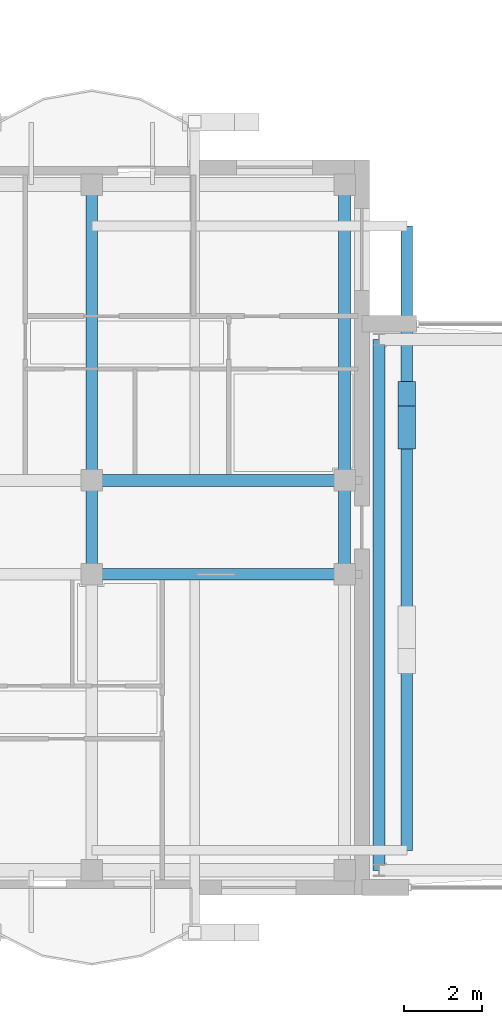
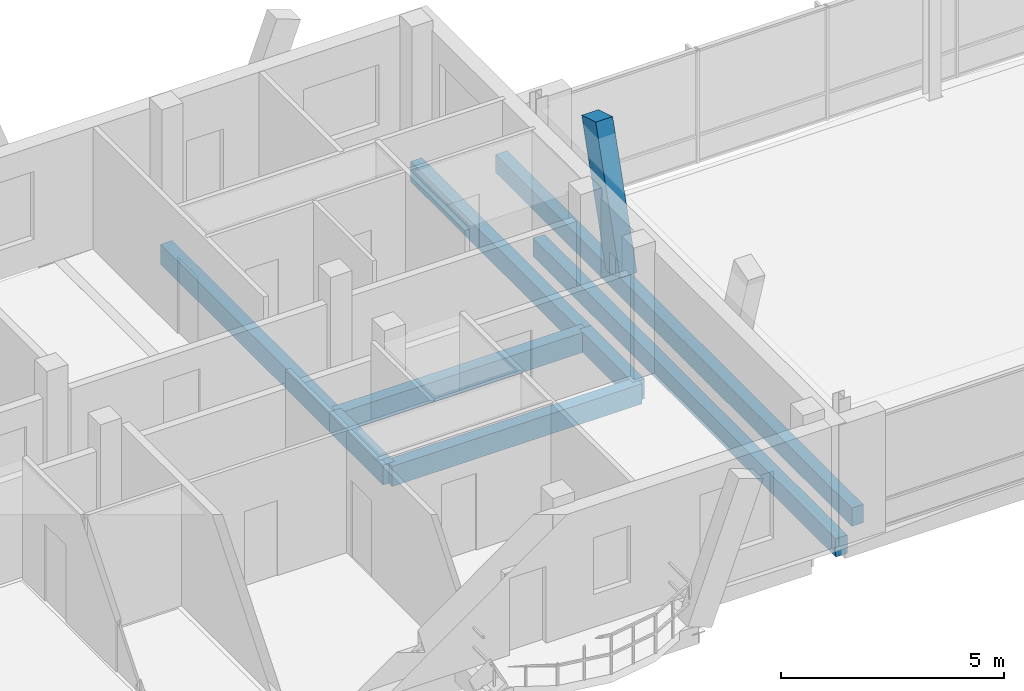
# One storey, part 18 of 189: 8 beams, 1 member.
"""IFC4 building model written with IfcOpenShell, lengths in metres."""

import ifcopenshell
import ifcopenshell.guid

model = None  # the IFC model being written
_history = None  # IfcOwnerHistory: only IFC2X3 demands one
_inside = {}  # id of a spatial element -> (the spatial element, [elements in it])
_under = {}  # id of a project, library or spatial element -> (it, [spatial elements below it])
_declared = {}  # id of a project -> (the project, [libraries it declares])
_typed = {}  # id of a type object -> (the type object, [elements of that type])
_made_of = {}  # id of a material, layer set ... -> (it, [elements and type objects made of it])


def new_model(schema):
    """Start an empty IFC model of exactly this schema.

    Asked for "IFC4X3", IfcOpenShell would pick the latest addendum, in which some entities
    have other attributes; the version numbers below select the first issue.
    IFC2X3 requires an IfcOwnerHistory on every rooted entity: one is made here for all.
    """
    global model, _history
    if schema == "IFC4X3":
        model = ifcopenshell.file(schema_version=(4, 3, 0, 0))
    else:
        model = ifcopenshell.file(schema=schema)
    _inside.clear()
    _under.clear()
    _declared.clear()
    _typed.clear()
    _made_of.clear()
    _history = None
    if model.schema == "IFC2X3":
        org = make("IfcOrganization", Name="unknown")
        user = make(
            "IfcPersonAndOrganization",
            ThePerson=make("IfcPerson", FamilyName="unknown"),
            TheOrganization=org,
        )
        app = make(
            "IfcApplication",
            ApplicationDeveloper=org,
            Version="unknown",
            ApplicationFullName="unknown",
            ApplicationIdentifier="unknown",
        )
        _history = make(
            "IfcOwnerHistory",
            OwningUser=user,
            OwningApplication=app,
            ChangeAction="ADDED",
            CreationDate=0,
        )
    return model


def make(cls, **values):
    """One entity of the class cls with the attributes given. An attribute that is None is left unset."""
    return model.create_entity(
        cls, **{name: value for name, value in values.items() if value is not None}
    )


def rooted(cls, **values):
    """An entity with a GlobalId (a new one), such as an element, a storey or a relation."""
    return make(cls, GlobalId=ifcopenshell.guid.new(), OwnerHistory=_history, **values)


def si_unit(unit_type, name, prefix=None):
    """IfcSIUnit, for example si_unit("LENGTHUNIT", "METRE", prefix="MILLI")."""
    return make("IfcSIUnit", UnitType=unit_type, Prefix=prefix, Name=name)


def assignment(units):
    """IfcUnitAssignment: the units of a project."""
    return None if units is None else make("IfcUnitAssignment", Units=units)


def point(xyz):
    """IfcCartesianPoint."""
    return None if xyz is None else make("IfcCartesianPoint", Coordinates=xyz)


def direction(xyz):
    """IfcDirection."""
    return None if xyz is None else make("IfcDirection", DirectionRatios=xyz)


def frame(location, z_axis=None, x_axis=None):
    """IfcAxis2Placement3D, a coordinate frame: its origin and axes. An axis left out is left unset."""
    return make(
        "IfcAxis2Placement3D",
        Location=point(location),
        Axis=direction(z_axis),
        RefDirection=direction(x_axis),
    )


def frame_2d(location, x_axis=None):
    """IfcAxis2Placement2D, a coordinate frame in the plane: its origin and x axis."""
    return make(
        "IfcAxis2Placement2D", Location=point(location), RefDirection=direction(x_axis)
    )


def origin():
    """The frame at (0, 0, 0) with its axes left unset."""
    return frame((0.0, 0.0, 0.0))


def origin_2d():
    """The frame at (0, 0) in the plane with its x axis left unset."""
    return frame_2d((0.0, 0.0))


def place(relative_to, where):
    """IfcLocalPlacement: puts the frame where relative to a parent placement (None: the world)."""
    return make(
        "IfcLocalPlacement", PlacementRelTo=relative_to, RelativePlacement=where
    )


def context(
    kind, dimensions, precision=None, world=None, true_north=None, identifier=None
):
    """IfcGeometricRepresentationContext, for example the 3D "Model" context."""
    return make(
        "IfcGeometricRepresentationContext",
        ContextIdentifier=identifier,
        ContextType=kind,
        CoordinateSpaceDimension=dimensions,
        Precision=precision,
        WorldCoordinateSystem=world,
        TrueNorth=true_north,
    )


def subcontext(parent, identifier, kind, view, scale=None):
    """IfcGeometricRepresentationSubContext, for example "Body" below "Model"."""
    return make(
        "IfcGeometricRepresentationSubContext",
        ContextIdentifier=identifier,
        ContextType=kind,
        ParentContext=parent,
        TargetScale=scale,
        TargetView=view,
    )


def project(units=None, contexts=None):
    """IfcProject with its units and contexts."""
    return rooted(
        "IfcProject",
        Name="project",
        RepresentationContexts=contexts,
        UnitsInContext=assignment(units),
    )


def spatial(cls, under=None, at=None, **own):
    """A site, building, storey or space (cls), placed at a placement, below another one or the project."""
    s = rooted(cls, ObjectPlacement=at, **own)
    if under is not None:
        _under.setdefault(under.id(), (under, []))[1].append(s)
    return s


def profile(cls, at=None, kind="AREA", **sizes):
    """A parametric profile (cls). Its sizes go by their IFC names, for example OverallWidth=200.0."""
    return make(cls, ProfileType=kind, Position=at, **sizes)


def rectangle(**sizes):
    """IfcRectangleProfileDef."""
    return profile("IfcRectangleProfileDef", **sizes)


def extrude(swept, where, along, depth):
    """IfcExtrudedAreaSolid: the profile swept, set in the frame where, extruded along a direction by depth."""
    return make(
        "IfcExtrudedAreaSolid",
        SweptArea=swept,
        Position=where,
        ExtrudedDirection=direction(along),
        Depth=depth,
    )


def shape(context_of_items, identifier, shape_type, items):
    """IfcShapeRepresentation: the items that make up one representation, for example the "Body"."""
    return make(
        "IfcShapeRepresentation",
        ContextOfItems=context_of_items,
        RepresentationIdentifier=identifier,
        RepresentationType=shape_type,
        Items=items,
    )


def material(Name=None, Category=None):
    """IfcMaterial."""
    return make("IfcMaterial", Name=Name, Category=Category)


def material_profile(
    of_material, cross_section, Name=None, Category=None, Priority=None
):
    """IfcMaterialProfile: a cross section and its material."""
    return make(
        "IfcMaterialProfile",
        Name=Name,
        Material=of_material,
        Profile=cross_section,
        Priority=Priority,
        Category=Category,
    )


def profile_set(profiles, Name=None, composite=None):
    """IfcMaterialProfileSet."""
    return make(
        "IfcMaterialProfileSet",
        Name=Name,
        MaterialProfiles=profiles,
        CompositeProfile=composite,
    )


def made_of(thing, what):
    """Note that an element or type object is made of a material, layer set ...; save() writes the relation."""
    if what is not None:
        _made_of.setdefault(what.id(), (what, []))[1].append(thing)
    return thing


def type_object(cls, material=None, **own):
    """A type object (cls), such as IfcWallType, which elements share."""
    return made_of(rooted(cls, **own), material)


def element(
    cls,
    number,
    at=None,
    inside=None,
    cuts=None,
    type_object=None,
    material=None,
    context=None,
    identifier="Body",
    shape_type=None,
    held_by="IfcProductDefinitionShape",
    body=None,
    shapes=None,
    **own,
):
    """One element of the class cls, such as IfcWall. Its Tag is "e" and its number.

    at: its placement. inside: the storey or other place that contains it. cuts: it is an
    opening in that element (IfcRelVoidsElement). A single representation is given by context,
    identifier, shape_type and body (its items); several are given by shapes. held_by: the class
    of the entity that holds the representations. save() writes the other relations.
    """
    e = rooted(cls, Tag="e%d" % number, ObjectPlacement=at, **own)
    if body is not None:
        shapes = [shape(context, identifier, shape_type, body)]
    if shapes is not None:
        e.Representation = make(held_by, Representations=shapes)
    if inside is not None:
        _inside.setdefault(inside.id(), (inside, []))[1].append(e)
    if cuts is not None:
        rooted(
            "IfcRelVoidsElement", RelatingBuildingElement=cuts, RelatedOpeningElement=e
        )
    if type_object is not None:
        _typed.setdefault(type_object.id(), (type_object, []))[1].append(e)
    return made_of(e, material)


def aggregate(whole, parts):
    """IfcRelAggregates: a whole, such as a stair, and the parts it consists of."""
    return rooted("IfcRelAggregates", RelatingObject=whole, RelatedObjects=parts)


def save(model, path):
    """Write the relations noted so far, then the file.

    IfcRelAggregates (storeys below a building ...), IfcRelContainedInSpatialStructure (elements
    in a storey), IfcRelDefinesByType, IfcRelAssociatesMaterial and IfcRelDeclares: one each for
    every whole, place, type object, material and project.
    """
    for whole, parts in _under.values():
        aggregate(whole, parts)
    for where, things in _inside.values():
        rooted(
            "IfcRelContainedInSpatialStructure",
            RelatedElements=things,
            RelatingStructure=where,
        )
    for kind, things in _typed.values():
        rooted("IfcRelDefinesByType", RelatedObjects=things, RelatingType=kind)
    for what, things in _made_of.values():
        rooted("IfcRelAssociatesMaterial", RelatedObjects=things, RelatingMaterial=what)
    for by, libraries in _declared.values():
        rooted("IfcRelDeclares", RelatingContext=by, RelatedDefinitions=libraries)
    model.write(path)


model = new_model("IFC4")

# Units and contexts
model_context = context("Model", 3, precision=1e-05, world=origin(), true_north=direction((0.0, 1.0)))
body_context = subcontext(model_context, "Body", "Model", "MODEL_VIEW")
ifc_project = project(units=[si_unit("LENGTHUNIT", "METRE"), si_unit("AREAUNIT", "SQUARE_METRE"), si_unit("VOLUMEUNIT", "CUBIC_METRE"), si_unit("PLANEANGLEUNIT", "RADIAN"), si_unit("MASSUNIT", "GRAM", prefix="KILO")], contexts=[model_context])

# Site, building, storey
site_placement = place(None, origin())
site = spatial("IfcSite", under=ifc_project, at=site_placement, CompositionType="ELEMENT")
building_placement = place(site_placement, origin())
building = spatial("IfcBuilding", under=site, at=building_placement, Name="Zavelmont Quarter", CompositionType="ELEMENT")
storey_placement = place(building_placement, frame((0.0, 0.0, 4.39990234375)))
storey = spatial("IfcBuildingStorey", under=building, at=storey_placement, Name="L01", CompositionType="ELEMENT", Elevation=4.39990234375)

# Beams
ifc_material_1 = material(Name="Concrete C35/45", Category="concrete")
ifc_material_profile_1 = material_profile(ifc_material_1, rectangle(XDim=0.300048828125, YDim=0.550048828125, at=origin_2d()), Name="RC300X550")
ifc_profile_set_1 = profile_set([ifc_material_profile_1], Name="Concrete C35/45")
beam_type_1 = type_object("IfcBeamType", Name="BM02", PredefinedType="SPANDREL", material=ifc_profile_set_1)
for number, where, z_axis, x_axis, name in (
    (1, (48.300048828125, 8.0, -0.554931640625), (1.0, 0.0, 0.0), (0.0, 1.0, 0.0), "L01 beam BM02 8/B to 9/B"),
    (2, (48.300048828125, 10.39990234375, -0.554931640625), (1.0, 0.0, 0.0), (0.0, 1.0, 0.0), "L01 beam BM02 8/C to 9/C"),
):
    element("IfcBeam", number, at=place(storey_placement, frame(where, z_axis=z_axis, x_axis=x_axis)), inside=storey, type_object=beam_type_1, Name=name, PredefinedType="SPANDREL", context=body_context, shape_type="SweptSolid", body=[
        extrude(rectangle(XDim=0.300048828125, YDim=0.550048828125, at=origin_2d()), origin(), (0.0, 0.0, 1.0), 6.4599609375),
    ])
beam_1_placement = place(storey_placement, frame((48.300048828125, 8.0, -0.554931640625), z_axis=(0.0, 1.0, 0.0), x_axis=(-1.0, 0.0, 0.0)))
element("IfcBeam", 3, at=beam_1_placement, inside=storey, type_object=beam_type_1, Name="L01 beam BM02 8/B to 8/C", PredefinedType="SPANDREL", context=body_context, shape_type="SweptSolid", body=[
    extrude(rectangle(XDim=0.300048828125, YDim=0.550048828125, at=origin_2d()), origin(), (0.0, 0.0, 1.0), 2.39990234375),
])
beam_2_placement = place(storey_placement, frame((48.300048828125, 10.39990234375, -0.554931640625), z_axis=(0.0, 1.0, 0.0), x_axis=(-1.0, 0.0, 0.0)))
element("IfcBeam", 4, at=beam_2_placement, inside=storey, type_object=beam_type_1, Name="L01 beam BM02 8/C to 8/D", PredefinedType="SPANDREL", context=body_context, shape_type="SweptSolid", body=[
    extrude(rectangle(XDim=0.300048828125, YDim=0.550048828125, at=origin_2d()), origin(), (0.0, 0.0, 1.0), 7.56005859375),
])
beam_3_placement = place(storey_placement, frame((54.760009765625, 8.0, -0.554931640625), z_axis=(0.0, 1.0, 0.0), x_axis=(-1.0, 0.0, 0.0)))
element("IfcBeam", 5, at=beam_3_placement, inside=storey, type_object=beam_type_1, Name="L01 beam BM02 9/B to 9/C", PredefinedType="SPANDREL", context=body_context, shape_type="SweptSolid", body=[
    extrude(rectangle(XDim=0.300048828125, YDim=0.550048828125, at=origin_2d()), origin(), (0.0, 0.0, 1.0), 2.39990234375),
])
beam_4_placement = place(storey_placement, frame((54.760009765625, 10.39990234375, -0.554931640625), z_axis=(0.0, 1.0, 0.0), x_axis=(-1.0, 0.0, 0.0)))
element("IfcBeam", 6, at=beam_4_placement, inside=storey, type_object=beam_type_1, Name="L01 beam BM02 9/C to 9/D", PredefinedType="SPANDREL", context=body_context, shape_type="SweptSolid", body=[
    extrude(rectangle(XDim=0.300048828125, YDim=0.550048828125, at=origin_2d()), origin(), (0.0, 0.0, 1.0), 7.56005859375),
])
ifc_material_profile_2 = material_profile(ifc_material_1, rectangle(XDim=0.300048828125, YDim=0.5, at=origin_2d()), Name="RC300X500")
ifc_profile_set_2 = profile_set([ifc_material_profile_2], Name="Concrete C35/45")
beam_type_2 = type_object("IfcBeamType", Name="BM03", PredefinedType="BEAM", material=ifc_profile_set_2)
beam_5_placement = place(storey_placement, frame((55.639892578125, 0.43994140625, -0.52978515625), z_axis=(0.0, 1.0, 0.0), x_axis=(-1.0, 0.0, 0.0)))
element("IfcBeam", 7, at=beam_5_placement, inside=storey, type_object=beam_type_2, Name="L01 beam BM03 9/A to 9/C", PredefinedType="BEAM", context=body_context, shape_type="SweptSolid", body=[
    extrude(rectangle(XDim=0.300048828125, YDim=0.5, at=origin_2d()), origin(), (0.0, 0.0, 1.0), 13.56005859375),
])
beam_6_placement = place(storey_placement, frame((56.35009765625, 0.949951171875, -0.25), z_axis=(0.0, 1.0, 0.0), x_axis=(-1.0, 0.0, 0.0)))
element("IfcBeam", 8, at=beam_6_placement, inside=storey, type_object=beam_type_2, Name="L01 beam BM03 9/A to 9/D", PredefinedType="BEAM", context=body_context, shape_type="SweptSolid", body=[
    extrude(rectangle(XDim=0.300048828125, YDim=0.5, at=origin_2d()), origin(), (0.0, 0.0, 1.0), 15.949951171875),
])

# Member
ifc_material_2 = material(Name="White architectural precast concrete C40/50", Category="concrete")
ifc_material_profile_3 = material_profile(ifc_material_2, rectangle(XDim=0.43994140625, YDim=0.659912109375, at=origin_2d()), Name="PCR320X480")
ifc_profile_set_3 = profile_set([ifc_material_profile_3], Name="White architectural precast concrete C40/50")
member_type = type_object("IfcMemberType", Name="VR01M", PredefinedType="CHORD", material=ifc_profile_set_3)
member_placement = place(storey_placement, frame((56.35009765625, 11.519287109375, 0.0), z_axis=(0.0, 0.290454017543, 0.956888950555), x_axis=(-1.0, 0.0, 0.0)))
element("IfcMember", 9, at=member_placement, inside=storey, type_object=member_type, Name="L01 member VR01M 9/C to 9/C", PredefinedType="CHORD", context=body_context, shape_type="SweptSolid", body=[
    extrude(rectangle(XDim=0.43994140625, YDim=0.659912109375, at=origin_2d()), origin(), (0.0, 0.0, 1.0), 3.76220703125),
])

save(model, "model.ifc")
